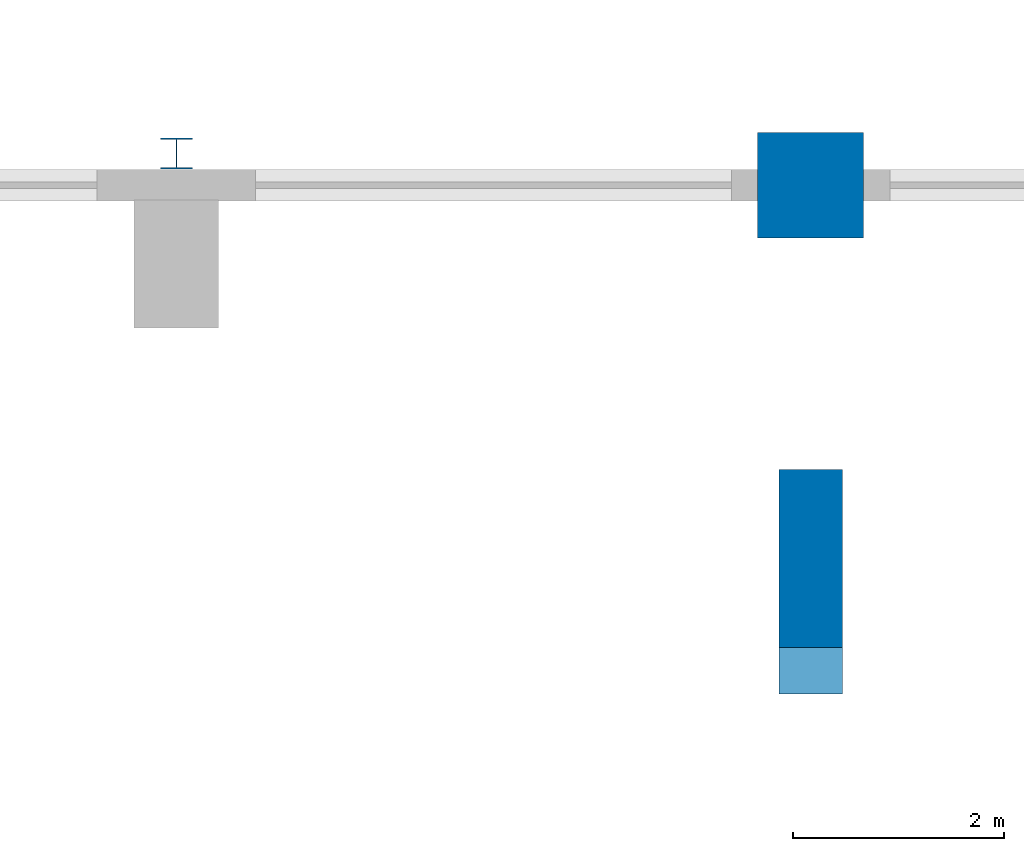
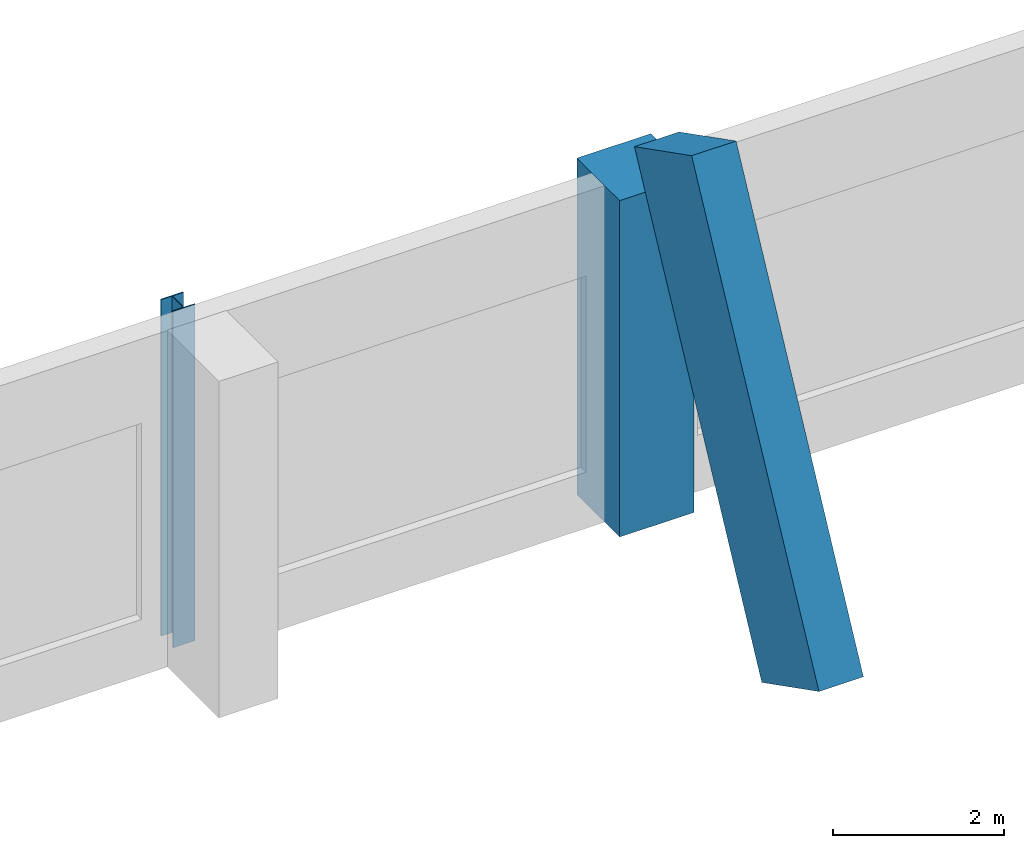
# One storey, part 8 of 182: 3 columns.
"""IFC4 building model written with IfcOpenShell, lengths in metres."""

from ifc_helpers import new_model, si_unit, direction, frame, origin, origin_2d, place, context, subcontext, project, spatial, rectangle, i_section, extrude, material, material_profile, profile_set, type_object, element, save


model = new_model("IFC4")

# Units and contexts
model_context = context("Model", 3, precision=1e-05, world=origin(), true_north=direction((0.0, 1.0)))
body_context = subcontext(model_context, "Body", "Model", "MODEL_VIEW")
ifc_project = project(units=[si_unit("LENGTHUNIT", "METRE"), si_unit("AREAUNIT", "SQUARE_METRE"), si_unit("VOLUMEUNIT", "CUBIC_METRE"), si_unit("PLANEANGLEUNIT", "RADIAN"), si_unit("MASSUNIT", "GRAM", prefix="KILO")], contexts=[model_context])

# Site, building, storey
site_placement = place(None, origin())
site = spatial("IfcSite", under=ifc_project, at=site_placement, CompositionType="ELEMENT")
building_placement = place(site_placement, origin())
building = spatial("IfcBuilding", under=site, at=building_placement, Name="Okhra Congress Centre", CompositionType="ELEMENT")
storey_placement = place(building_placement, frame((0.0, 0.0, 7.199951171875)))
storey = spatial("IfcBuildingStorey", under=building, at=storey_placement, Name="L01", CompositionType="ELEMENT", Elevation=7.199951171875)

# Columns
ifc_material_1 = material(Name="Steel S355J2", Category="steel")
ifc_material_profile_1 = material_profile(ifc_material_1, i_section(OverallWidth=0.300048828125, OverallDepth=0.2900390625, WebThickness=0.008544921875, FlangeThickness=0.013916015625, at=origin_2d()), Name="HE 300 A")
ifc_profile_set_1 = profile_set([ifc_material_profile_1], Name="Steel S355J2")
column_type_1 = type_object("IfcColumnType", Name="HE 300 A", PredefinedType="COLUMN", material=ifc_profile_set_1)
column_1_placement = place(storey_placement, frame((58.0, 132.300048828125, 0.0), z_axis=(0.0, 0.0, 1.0), x_axis=(1.0, 0.0, 0.0)))
element("IfcColumn", 1, at=column_1_placement, inside=storey, type_object=column_type_1, Name="EH.COL.L01.WP4", PredefinedType="COLUMN", context=body_context, shape_type="SweptSolid", body=[
    extrude(i_section(OverallWidth=0.300048828125, OverallDepth=0.2900390625, WebThickness=0.008544921875, FlangeThickness=0.013916015625, at=origin_2d()), origin(), (0.0, 0.0, 1.0), 4.800048828125),
])
ifc_material_2 = material(Name="Concrete C40/50", Category="concrete")
ifc_material_profile_2 = material_profile(ifc_material_2, rectangle(XDim=1.0, YDim=1.0, at=origin_2d()), Name="RC 1000x1000")
ifc_profile_set_2 = profile_set([ifc_material_profile_2], Name="Concrete C40/50")
column_type_2 = type_object("IfcColumnType", Name="RC column 1000x1000 C40/50", PredefinedType="COLUMN", material=ifc_profile_set_2)
column_2_placement = place(storey_placement, frame((64.0, 132.0, 0.0), z_axis=(0.0, 0.0, 1.0), x_axis=(1.0, 0.0, 0.0)))
element("IfcColumn", 2, at=column_2_placement, inside=storey, type_object=column_type_2, Name="EH.COL.L01.SC5", PredefinedType="COLUMN", context=body_context, shape_type="SweptSolid", body=[
    extrude(rectangle(XDim=1.0, YDim=1.0, at=origin_2d()), origin(), (0.0, 0.0, 1.0), 4.800048828125),
])
ifc_material_3 = material(Name="Concrete C35/45", Category="concrete")
ifc_material_profile_3 = material_profile(ifc_material_3, rectangle(XDim=0.60009765625, YDim=1.5, at=origin_2d()), Name="RC 600x1500")
ifc_profile_set_3 = profile_set([ifc_material_profile_3], Name="Concrete C35/45")
column_type_3 = type_object("IfcColumnType", Name="Raking buttress pier RC 600x1500 C35/45", PredefinedType="COLUMN", material=ifc_profile_set_3)
column_3_placement = place(storey_placement, frame((64.0, 127.85595703125, 0.0), z_axis=(0.0, 0.453979342661, 0.891012208916), x_axis=(-1.0, 0.0, 0.0)))
element("IfcColumn", 3, at=column_3_placement, inside=storey, type_object=column_type_3, Name="Buttress pier 3", PredefinedType="COLUMN", context=body_context, shape_type="SweptSolid", body=[
    extrude(rectangle(XDim=0.60009765625, YDim=1.5, at=origin_2d()), origin(), (0.0, 0.0, 1.0), 6.554931640625),
])

save(model, "model.ifc")
